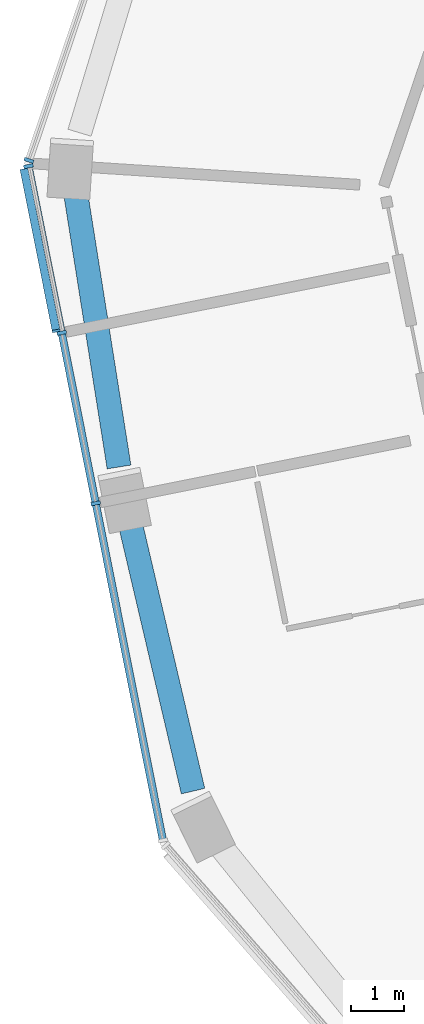
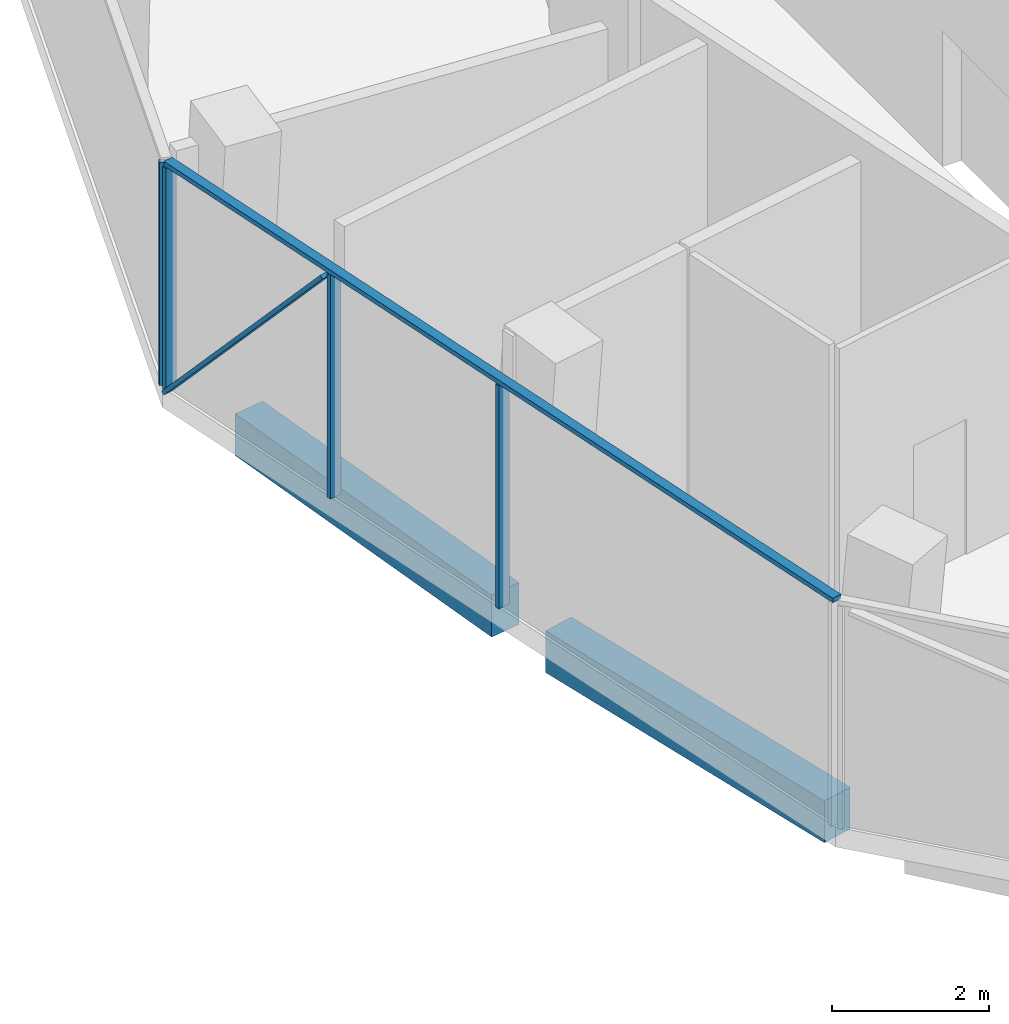
# One storey, part 3 of 17: 6 members, 2 beams, 2 elements without a shape of their own.
"""IFC4 building model written with IfcOpenShell, lengths in metres."""

import ifcopenshell
import ifcopenshell.guid

model = None  # the IFC model being written
_history = None  # IfcOwnerHistory: only IFC2X3 demands one
_inside = {}  # id of a spatial element -> (the spatial element, [elements in it])
_under = {}  # id of a project, library or spatial element -> (it, [spatial elements below it])
_declared = {}  # id of a project -> (the project, [libraries it declares])
_typed = {}  # id of a type object -> (the type object, [elements of that type])
_made_of = {}  # id of a material, layer set ... -> (it, [elements and type objects made of it])


def new_model(schema):
    """Start an empty IFC model of exactly this schema.

    Asked for "IFC4X3", IfcOpenShell would pick the latest addendum, in which some entities
    have other attributes; the version numbers below select the first issue.
    IFC2X3 requires an IfcOwnerHistory on every rooted entity: one is made here for all.
    """
    global model, _history
    if schema == "IFC4X3":
        model = ifcopenshell.file(schema_version=(4, 3, 0, 0))
    else:
        model = ifcopenshell.file(schema=schema)
    _inside.clear()
    _under.clear()
    _declared.clear()
    _typed.clear()
    _made_of.clear()
    _history = None
    if model.schema == "IFC2X3":
        org = make("IfcOrganization", Name="unknown")
        user = make(
            "IfcPersonAndOrganization",
            ThePerson=make("IfcPerson", FamilyName="unknown"),
            TheOrganization=org,
        )
        app = make(
            "IfcApplication",
            ApplicationDeveloper=org,
            Version="unknown",
            ApplicationFullName="unknown",
            ApplicationIdentifier="unknown",
        )
        _history = make(
            "IfcOwnerHistory",
            OwningUser=user,
            OwningApplication=app,
            ChangeAction="ADDED",
            CreationDate=0,
        )
    return model


def make(cls, **values):
    """One entity of the class cls with the attributes given. An attribute that is None is left unset."""
    return model.create_entity(
        cls, **{name: value for name, value in values.items() if value is not None}
    )


def rooted(cls, **values):
    """An entity with a GlobalId (a new one), such as an element, a storey or a relation."""
    return make(cls, GlobalId=ifcopenshell.guid.new(), OwnerHistory=_history, **values)


def si_unit(unit_type, name, prefix=None):
    """IfcSIUnit, for example si_unit("LENGTHUNIT", "METRE", prefix="MILLI")."""
    return make("IfcSIUnit", UnitType=unit_type, Prefix=prefix, Name=name)


def assignment(units):
    """IfcUnitAssignment: the units of a project."""
    return None if units is None else make("IfcUnitAssignment", Units=units)


def point(xyz):
    """IfcCartesianPoint."""
    return None if xyz is None else make("IfcCartesianPoint", Coordinates=xyz)


def direction(xyz):
    """IfcDirection."""
    return None if xyz is None else make("IfcDirection", DirectionRatios=xyz)


def frame(location, z_axis=None, x_axis=None):
    """IfcAxis2Placement3D, a coordinate frame: its origin and axes. An axis left out is left unset."""
    return make(
        "IfcAxis2Placement3D",
        Location=point(location),
        Axis=direction(z_axis),
        RefDirection=direction(x_axis),
    )


def frame_2d(location, x_axis=None):
    """IfcAxis2Placement2D, a coordinate frame in the plane: its origin and x axis."""
    return make(
        "IfcAxis2Placement2D", Location=point(location), RefDirection=direction(x_axis)
    )


def origin():
    """The frame at (0, 0, 0) with its axes left unset."""
    return frame((0.0, 0.0, 0.0))


def origin_2d():
    """The frame at (0, 0) in the plane with its x axis left unset."""
    return frame_2d((0.0, 0.0))


def place(relative_to, where):
    """IfcLocalPlacement: puts the frame where relative to a parent placement (None: the world)."""
    return make(
        "IfcLocalPlacement", PlacementRelTo=relative_to, RelativePlacement=where
    )


def context(
    kind, dimensions, precision=None, world=None, true_north=None, identifier=None
):
    """IfcGeometricRepresentationContext, for example the 3D "Model" context."""
    return make(
        "IfcGeometricRepresentationContext",
        ContextIdentifier=identifier,
        ContextType=kind,
        CoordinateSpaceDimension=dimensions,
        Precision=precision,
        WorldCoordinateSystem=world,
        TrueNorth=true_north,
    )


def subcontext(parent, identifier, kind, view, scale=None):
    """IfcGeometricRepresentationSubContext, for example "Body" below "Model"."""
    return make(
        "IfcGeometricRepresentationSubContext",
        ContextIdentifier=identifier,
        ContextType=kind,
        ParentContext=parent,
        TargetScale=scale,
        TargetView=view,
    )


def project(units=None, contexts=None):
    """IfcProject with its units and contexts."""
    return rooted(
        "IfcProject",
        Name="project",
        RepresentationContexts=contexts,
        UnitsInContext=assignment(units),
    )


def spatial(cls, under=None, at=None, **own):
    """A site, building, storey or space (cls), placed at a placement, below another one or the project."""
    s = rooted(cls, ObjectPlacement=at, **own)
    if under is not None:
        _under.setdefault(under.id(), (under, []))[1].append(s)
    return s


def profile(cls, at=None, kind="AREA", **sizes):
    """A parametric profile (cls). Its sizes go by their IFC names, for example OverallWidth=200.0."""
    return make(cls, ProfileType=kind, Position=at, **sizes)


def rectangle(**sizes):
    """IfcRectangleProfileDef."""
    return profile("IfcRectangleProfileDef", **sizes)


def extrude(swept, where, along, depth):
    """IfcExtrudedAreaSolid: the profile swept, set in the frame where, extruded along a direction by depth."""
    return make(
        "IfcExtrudedAreaSolid",
        SweptArea=swept,
        Position=where,
        ExtrudedDirection=direction(along),
        Depth=depth,
    )


def shape(context_of_items, identifier, shape_type, items):
    """IfcShapeRepresentation: the items that make up one representation, for example the "Body"."""
    return make(
        "IfcShapeRepresentation",
        ContextOfItems=context_of_items,
        RepresentationIdentifier=identifier,
        RepresentationType=shape_type,
        Items=items,
    )


def material(Name=None, Category=None):
    """IfcMaterial."""
    return make("IfcMaterial", Name=Name, Category=Category)


def layer(
    of_material, thickness, ventilated=None, Name=None, Category=None, Priority=None
):
    """IfcMaterialLayer: one layer of a wall or slab, of a material (None: an air gap)."""
    return make(
        "IfcMaterialLayer",
        Material=of_material,
        LayerThickness=thickness,
        IsVentilated=ventilated,
        Name=Name,
        Category=Category,
        Priority=Priority,
    )


def layer_set(layers, Name=None):
    """IfcMaterialLayerSet."""
    return make("IfcMaterialLayerSet", MaterialLayers=layers, LayerSetName=Name)


def material_profile(
    of_material, cross_section, Name=None, Category=None, Priority=None
):
    """IfcMaterialProfile: a cross section and its material."""
    return make(
        "IfcMaterialProfile",
        Name=Name,
        Material=of_material,
        Profile=cross_section,
        Priority=Priority,
        Category=Category,
    )


def profile_set(profiles, Name=None, composite=None):
    """IfcMaterialProfileSet."""
    return make(
        "IfcMaterialProfileSet",
        Name=Name,
        MaterialProfiles=profiles,
        CompositeProfile=composite,
    )


def made_of(thing, what):
    """Note that an element or type object is made of a material, layer set ...; save() writes the relation."""
    if what is not None:
        _made_of.setdefault(what.id(), (what, []))[1].append(thing)
    return thing


def type_object(cls, material=None, **own):
    """A type object (cls), such as IfcWallType, which elements share."""
    return made_of(rooted(cls, **own), material)


def element(
    cls,
    number,
    at=None,
    inside=None,
    cuts=None,
    type_object=None,
    material=None,
    context=None,
    identifier="Body",
    shape_type=None,
    held_by="IfcProductDefinitionShape",
    body=None,
    shapes=None,
    **own,
):
    """One element of the class cls, such as IfcWall. Its Tag is "e" and its number.

    at: its placement. inside: the storey or other place that contains it. cuts: it is an
    opening in that element (IfcRelVoidsElement). A single representation is given by context,
    identifier, shape_type and body (its items); several are given by shapes. held_by: the class
    of the entity that holds the representations. save() writes the other relations.
    """
    e = rooted(cls, Tag="e%d" % number, ObjectPlacement=at, **own)
    if body is not None:
        shapes = [shape(context, identifier, shape_type, body)]
    if shapes is not None:
        e.Representation = make(held_by, Representations=shapes)
    if inside is not None:
        _inside.setdefault(inside.id(), (inside, []))[1].append(e)
    if cuts is not None:
        rooted(
            "IfcRelVoidsElement", RelatingBuildingElement=cuts, RelatedOpeningElement=e
        )
    if type_object is not None:
        _typed.setdefault(type_object.id(), (type_object, []))[1].append(e)
    return made_of(e, material)


def aggregate(whole, parts):
    """IfcRelAggregates: a whole, such as a stair, and the parts it consists of."""
    return rooted("IfcRelAggregates", RelatingObject=whole, RelatedObjects=parts)


def save(model, path):
    """Write the relations noted so far, then the file.

    IfcRelAggregates (storeys below a building ...), IfcRelContainedInSpatialStructure (elements
    in a storey), IfcRelDefinesByType, IfcRelAssociatesMaterial and IfcRelDeclares: one each for
    every whole, place, type object, material and project.
    """
    for whole, parts in _under.values():
        aggregate(whole, parts)
    for where, things in _inside.values():
        rooted(
            "IfcRelContainedInSpatialStructure",
            RelatedElements=things,
            RelatingStructure=where,
        )
    for kind, things in _typed.values():
        rooted("IfcRelDefinesByType", RelatedObjects=things, RelatingType=kind)
    for what, things in _made_of.values():
        rooted("IfcRelAssociatesMaterial", RelatedObjects=things, RelatingMaterial=what)
    for by, libraries in _declared.values():
        rooted("IfcRelDeclares", RelatingContext=by, RelatedDefinitions=libraries)
    model.write(path)


model = new_model("IFC4")

# Units and contexts
model_context = context("Model", 3, precision=1e-05, world=origin(), true_north=direction((0.0, 1.0)))
body_context = subcontext(model_context, "Body", "Model", "MODEL_VIEW")
ifc_project = project(units=[si_unit("LENGTHUNIT", "METRE"), si_unit("AREAUNIT", "SQUARE_METRE"), si_unit("VOLUMEUNIT", "CUBIC_METRE"), si_unit("PLANEANGLEUNIT", "RADIAN"), si_unit("MASSUNIT", "GRAM", prefix="KILO")], contexts=[model_context])

# Site, building, storey
site_placement = place(None, origin())
site = spatial("IfcSite", under=ifc_project, at=site_placement, CompositionType="ELEMENT")
building_placement = place(site_placement, origin())
building = spatial("IfcBuilding", under=site, at=building_placement, Name="Verdalira Terraces Hotel", CompositionType="ELEMENT")
storey_placement = place(building_placement, frame((0.0, 0.0, 201.0)))
storey = spatial("IfcBuildingStorey", under=building, at=storey_placement, Name="L49", CompositionType="ELEMENT", Elevation=201.0)

# Curtain wall, member
ifc_material_1 = material(Name="Clear glass", Category="glass")
ifc_layer = layer(ifc_material_1, 0.179931640625)
ifc_layer_set = layer_set([ifc_layer], Name="CW4 curtain wall")
curtain_wall_type = type_object("IfcCurtainWallType", Name="CW4 curtain wall", PredefinedType="NOTDEFINED", material=ifc_layer_set)
curtain_wall_1_placement = place(storey_placement, origin())
curtain_wall_1 = element("IfcCurtainWall", 1, at=curtain_wall_1_placement, inside=storey, type_object=curtain_wall_type, Name="CW4 curtain wall L49 edge 11", PredefinedType="NOTDEFINED")
ifc_material_2 = material(Name="Terracotta frame", Category="masonry")
ifc_material_profile_1 = material_profile(ifc_material_2, rectangle(XDim=0.064941, YDim=0.179932, at=origin_2d()), Name="MU 65x180")
ifc_profile_set_1 = profile_set([ifc_material_profile_1], Name="Terracotta frame")
member_type_1 = type_object("IfcMemberType", Name="CW4 mullion 65x180", PredefinedType="MULLION", material=ifc_profile_set_1)
member_1_placement = place(storey_placement, frame((-24.980957, 1.678955, 0.0), z_axis=(0.0, 0.0, 1.0), x_axis=(-0.32094361, -0.947098305, 0.0)))
member_1 = element("IfcMember", 2, at=member_1_placement, type_object=member_type_1, Name="CW4 mullion", PredefinedType="MULLION", context=body_context, shape_type="SweptSolid", body=[
    extrude(rectangle(XDim=0.064941, YDim=0.179932, at=origin_2d()), origin(), (0.0, 0.0, 1.0), 3.469971),
])
aggregate(curtain_wall_1, [member_1])

# Curtain wall, members
curtain_wall_2_placement = place(storey_placement, origin())
curtain_wall_2 = element("IfcCurtainWall", 3, at=curtain_wall_2_placement, inside=storey, type_object=curtain_wall_type, Name="CW4 curtain wall L49 edge 12", PredefinedType="NOTDEFINED")
member_2_placement = place(storey_placement, frame((-24.988037, 1.569824, 0.0), z_axis=(0.0, 0.0, 1.0), x_axis=(0.195603833, -0.980682997, 0.0)))
member_2 = element("IfcMember", 4, at=member_2_placement, type_object=member_type_1, Name="CW4 mullion", PredefinedType="MULLION", context=body_context, shape_type="SweptSolid", body=[
    extrude(rectangle(XDim=0.064941, YDim=0.179932, at=origin_2d()), origin(), (0.0, 0.0, 1.0), 3.469971),
])
member_3_placement = place(storey_placement, frame((-24.366699, -1.546143, 0.0), z_axis=(0.0, 0.0, 1.0), x_axis=(0.195603833, -0.980682997, 0.0)))
member_3 = element("IfcMember", 5, at=member_3_placement, type_object=member_type_1, Name="CW4 mullion", PredefinedType="MULLION", context=body_context, shape_type="SweptSolid", body=[
    extrude(rectangle(XDim=0.064941, YDim=0.179932, at=origin_2d()), origin(), (0.0, 0.0, 1.0), 3.469971),
])
member_4_placement = place(storey_placement, frame((-23.730957, -4.733398, 0.0), z_axis=(0.0, 0.0, 1.0), x_axis=(0.195603833, -0.980682997, 0.0)))
member_4 = element("IfcMember", 6, at=member_4_placement, type_object=member_type_1, Name="CW4 mullion", PredefinedType="MULLION", context=body_context, shape_type="SweptSolid", body=[
    extrude(rectangle(XDim=0.064941, YDim=0.179932, at=origin_2d()), origin(), (0.0, 0.0, 1.0), 3.469971),
])
ifc_material_3 = material(Name="Terracotta frame", Category="masonry")
ifc_material_profile_2 = material_profile(ifc_material_3, rectangle(XDim=0.139893, YDim=0.070068, at=origin_2d()), Name="TR 70x140")
ifc_profile_set_2 = profile_set([ifc_material_profile_2], Name="Terracotta frame")
member_type_2 = type_object("IfcMemberType", Name="CW4 transom 70x140", PredefinedType="USERDEFINED", material=ifc_profile_set_2)
member_5_placement = place(storey_placement, frame((-24.994385, 1.601807, 3.504883), z_axis=(0.195600082, -0.980683745, 0.0), x_axis=(0.980683745, 0.195600082, 0.0)))
member_5 = element("IfcMember", 7, at=member_5_placement, type_object=member_type_2, Name="CW4 transom", ObjectType="TRANSOM", PredefinedType="USERDEFINED", context=body_context, shape_type="SweptSolid", body=[
    extrude(rectangle(XDim=0.139893, YDim=0.070068, at=origin_2d()), origin(), (0.0, 0.0, 1.0), 12.919678),
])
ifc_material_4 = material(Name="Terracotta frame", Category="masonry")
ifc_material_profile_3 = material_profile(ifc_material_4, rectangle(XDim=0.149902, YDim=0.060059, at=origin_2d()), Name="GB 60x150")
ifc_profile_set_3 = profile_set([ifc_material_profile_3], Name="Terracotta frame")
member_type_3 = type_object("IfcMemberType", Name="Diagonal glazing bar 60x150", PredefinedType="USERDEFINED", material=ifc_profile_set_3)
member_6_placement = place(storey_placement, frame((-25.068359, 1.496582, 0.026367), z_axis=(0.130621061, -0.654807206, 0.744423039), x_axis=(0.980678587, 0.195625943, 0.0)))
member_6 = element("IfcMember", 8, at=member_6_placement, type_object=member_type_3, Name="Diagonal glazing bar", ObjectType="GLAZING BAR", PredefinedType="USERDEFINED", context=body_context, shape_type="SweptSolid", body=[
    extrude(rectangle(XDim=0.149902, YDim=0.060059, at=origin_2d()), origin(), (0.0, 0.0, 1.0), 4.590332),
])
aggregate(curtain_wall_2, [member_2, member_3, member_4, member_5, member_6])

# Beams
ifc_material_5 = material(Name="Concrete C50", Category="concrete")
ifc_material_profile_4 = material_profile(ifc_material_5, rectangle(XDim=0.449951, YDim=0.649902, at=origin_2d()), Name="RC 450X650")
ifc_profile_set_4 = profile_set([ifc_material_profile_4], Name="Concrete C50")
beam_type = type_object("IfcBeamType", Name="Spandrel beam RC 450X650 C50", PredefinedType="SPANDREL", material=ifc_profile_set_4)
beam_1_placement = place(storey_placement, frame((-24.107422, 1.073975, -0.63501), z_axis=(0.156578258, -0.987665555, 0.0), x_axis=(0.987665555, 0.156578258, 0.0)))
element("IfcBeam", 9, at=beam_1_placement, inside=storey, type_object=beam_type, Name="Spandrel beam B06", PredefinedType="SPANDREL", context=body_context, shape_type="SweptSolid", body=[
    extrude(rectangle(XDim=0.449951, YDim=0.649902, at=origin_2d()), origin(), (0.0, 0.0, 1.0), 5.192139),
])
beam_2_placement = place(storey_placement, frame((-23.096191, -5.062744, -0.63501), z_axis=(0.228407329, -0.973565659, 0.0), x_axis=(0.973565659, 0.228407329, 0.0)))
element("IfcBeam", 10, at=beam_2_placement, inside=storey, type_object=beam_type, Name="Spandrel beam B07", PredefinedType="SPANDREL", context=body_context, shape_type="SweptSolid", body=[
    extrude(rectangle(XDim=0.449951, YDim=0.649902, at=origin_2d()), origin(), (0.0, 0.0, 1.0), 5.189453),
])

save(model, "model.ifc")
